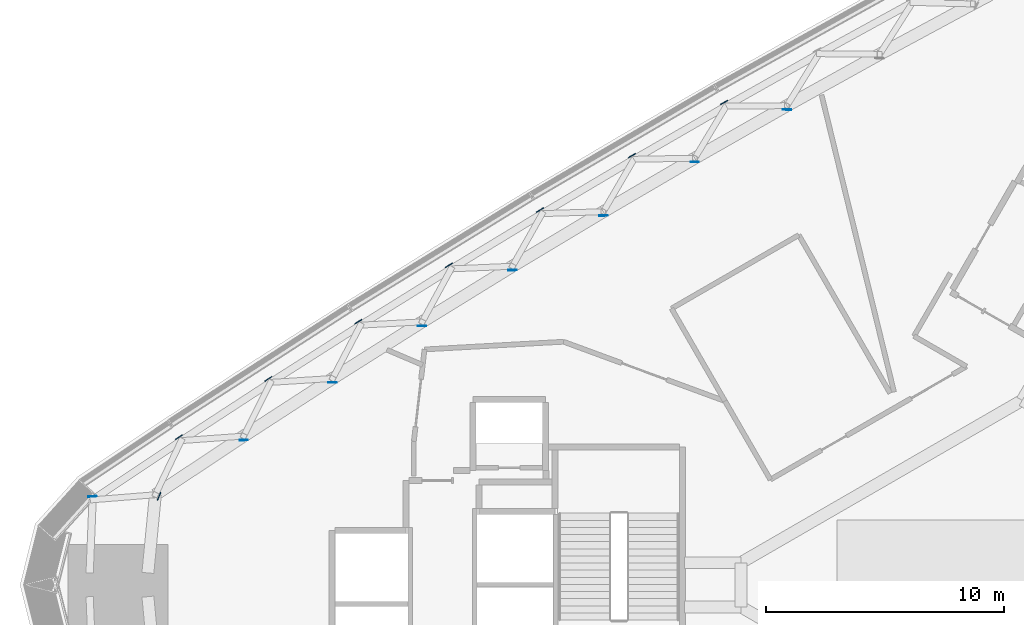
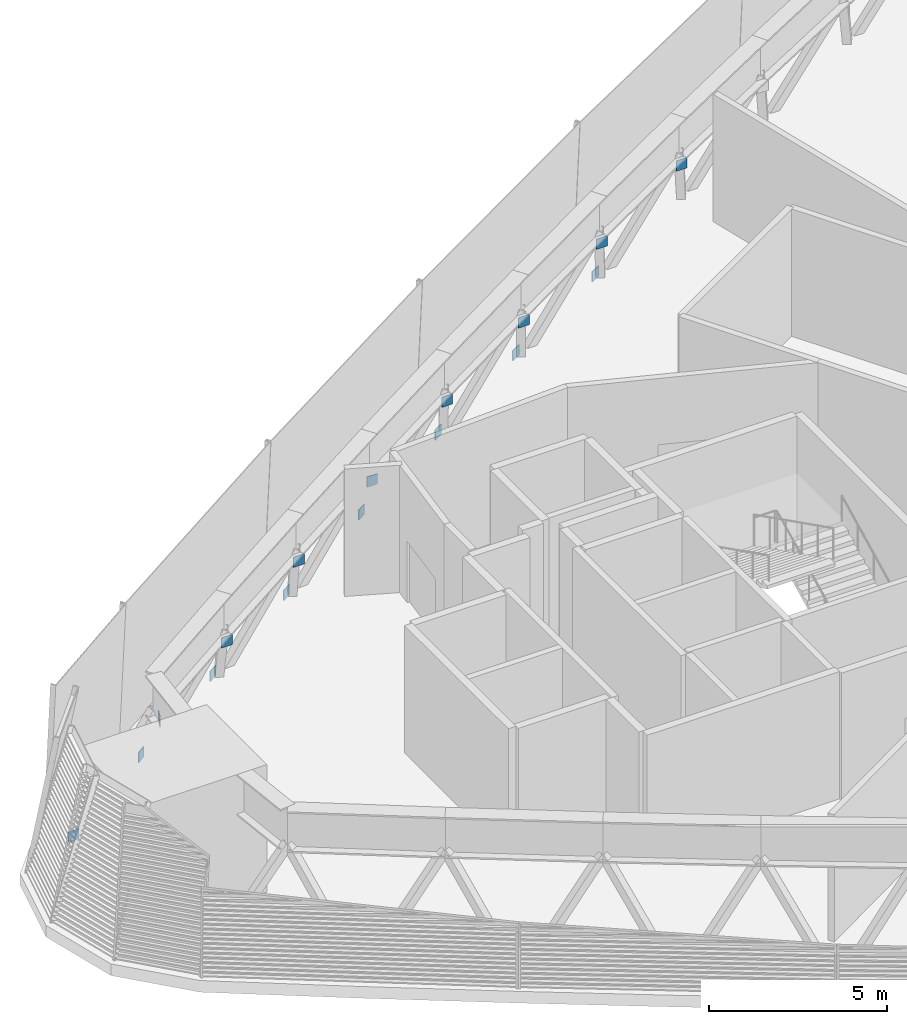
# One storey, part 9 of 19: 16 plates.
"""IFC4 building model written with IfcOpenShell, lengths in metres."""

from ifc_helpers import new_model, si_unit, direction, frame, origin, origin_2d, place, context, subcontext, project, spatial, rectangle, extrude, material, layer, layer_set, type_object, element, save


model = new_model("IFC4")

# Units and contexts
model_context = context("Model", 3, precision=1e-05, world=origin(), true_north=direction((0.0, 1.0)))
body_context = subcontext(model_context, "Body", "Model", "MODEL_VIEW")
ifc_project = project(units=[si_unit("LENGTHUNIT", "METRE"), si_unit("AREAUNIT", "SQUARE_METRE"), si_unit("VOLUMEUNIT", "CUBIC_METRE"), si_unit("PLANEANGLEUNIT", "RADIAN"), si_unit("MASSUNIT", "GRAM", prefix="KILO")], contexts=[model_context])

# Site, building, storey
site_placement = place(None, origin())
site = spatial("IfcSite", under=ifc_project, at=site_placement, CompositionType="ELEMENT")
building_placement = place(site_placement, origin())
building = spatial("IfcBuilding", under=site, at=building_placement, Name="Tamra Quay Hotel Tower", CompositionType="ELEMENT")
storey_placement = place(building_placement, frame((0.0, 0.0, 74.60009765625)))
storey = spatial("IfcBuildingStorey", under=building, at=storey_placement, Name="L17", CompositionType="ELEMENT", Elevation=74.60009765625)

# Plates
ifc_material = material(Name="Structural steel IS 2062 E350", Category="steel")
ifc_layer = layer(ifc_material, 0.030029296875)
ifc_layer_set = layer_set([ifc_layer], Name="BRACE END PLATE 30")
plate_type = type_object("IfcPlateType", Name="BRACE END PLATE 30", PredefinedType="SHEET", material=ifc_layer_set)
for number, where, z_axis, x_axis, name in (
    (1, (-9.09716796875, 20.2294921875, -0.400146484375), (0.0, 0.0, 1.0), (-0.494086027513, 0.869413018891, 0.0), "BEP-L17-021"),
    (2, (-12.970703125, 17.9931640625, -0.400146484375), (0.0, 0.0, 1.0), (-0.505898274548, 0.862593146164, 0.0), "BEP-L17-022"),
    (3, (-16.820068359375, 15.71484375, -0.400146484375), (0.0, 0.0, 1.0), (-0.517611924363, 0.855615506964, 0.0), "BEP-L17-023"),
    (4, (-20.643798828125, 13.3955078125, -0.400146484375), (0.0, 0.0, 1.0), (-0.529133091379, 0.848538845079, 0.0), "BEP-L17-024"),
    (5, (-24.44287109375, 11.034423828125, -0.400146484375), (0.0, 0.0, 1.0), (-0.540633876551, 0.841257993439, 0.0), "BEP-L17-025"),
    (6, (-28.21630859375, 8.632568359375, -0.400146484375), (0.0, 0.0, 1.0), (-0.552053412357, 0.833808748998, 0.0), "BEP-L17-026"),
    (7, (-31.962890625, 6.1904296875, -0.400146484375), (0.0, 0.0, 1.0), (-0.563220345903, 0.826306748103, 0.0), "BEP-L17-027"),
    (8, (-35.5947265625, 3.704345703125, -0.400146484375), (0.0, 0.0, 1.0), (-0.080174568402, 0.996780837788, 0.0), "BEP-L17-028"),
    (9, (-6.4697265625, 19.925537109375, 2.624755859375), (0.0, 0.0, 1.0), (0.013148931659, 0.999913549061, 0.0), "BEP-L17-061"),
    (10, (-10.32958984375, 17.72509765625, 2.624755859375), (0.0, 0.0, 1.0), (-8.726646e-06, 0.999999999962, 0.0), "BEP-L17-062"),
    (11, (-14.163818359375, 15.48046875, 2.624755859375), (0.0, 0.0, 1.0), (-0.01315765755, 0.999913434277, 0.0), "BEP-L17-063"),
    (12, (-17.972412109375, 13.1923828125, 2.624755859375), (0.0, 0.0, 1.0), (-0.026262440039, 0.999655082638, 0.0), "BEP-L17-064"),
    (13, (-21.763427734375, 10.853271484375, 2.624755859375), (0.0, 0.0, 1.0), (0.013009317262, 0.999915375252, 0.0), "BEP-L17-065"),
    (14, (-25.5185546875, 8.48046875, 2.624755859375), (0.0, 0.0, 1.0), (-0.000127409035, 0.999999991883, 0.0), "BEP-L17-066"),
    (15, (-29.24658203125, 6.0654296875, 2.624755859375), (0.0, 0.0, 1.0), (-0.01323968088, 0.999912351584, 0.0), "BEP-L17-067"),
    (16, (-32.796630859375, 3.71240234375, 2.624755859375), (0.0, 0.0, 1.0), (-0.92392961774, 0.382562493539, 0.0), "BEP-L17-068"),
):
    element("IfcPlate", number, at=place(storey_placement, frame(where, z_axis=z_axis, x_axis=x_axis)), inside=storey, type_object=plate_type, Name=name, PredefinedType="SHEET", context=body_context, shape_type="SweptSolid", body=[
        extrude(rectangle(XDim=0.030029296875, YDim=0.35009765625, at=origin_2d()), origin(), (0.0, 0.0, 1.0), 0.35009765625),
    ])

save(model, "model.ifc")
